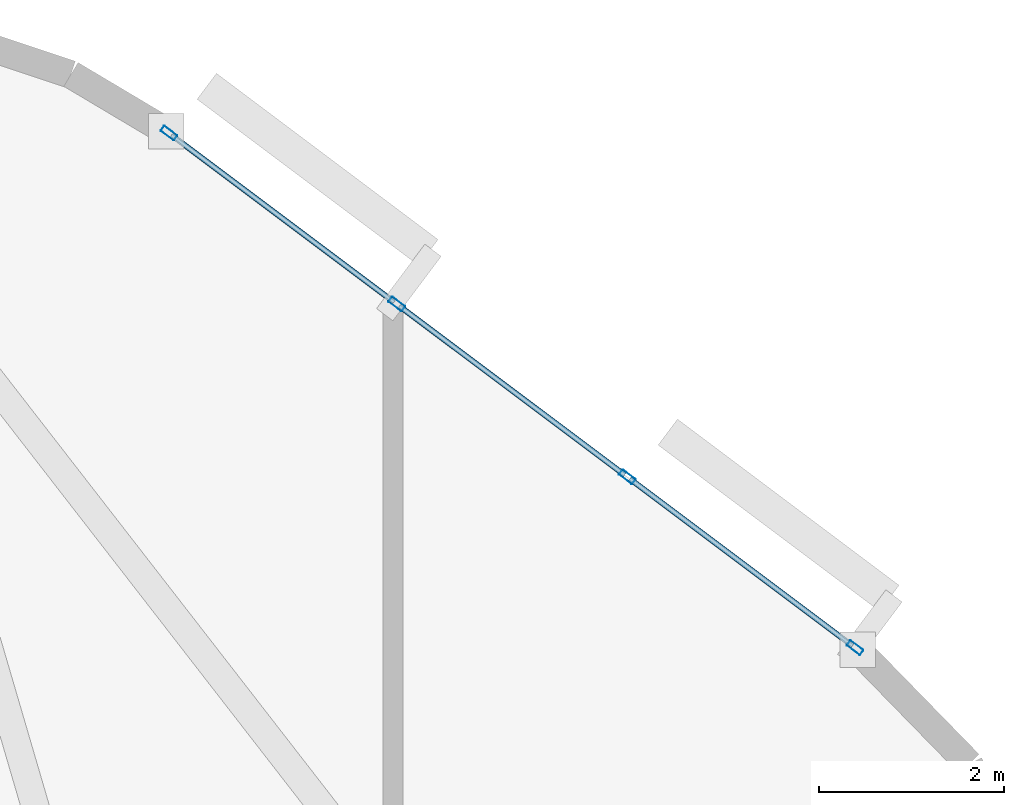
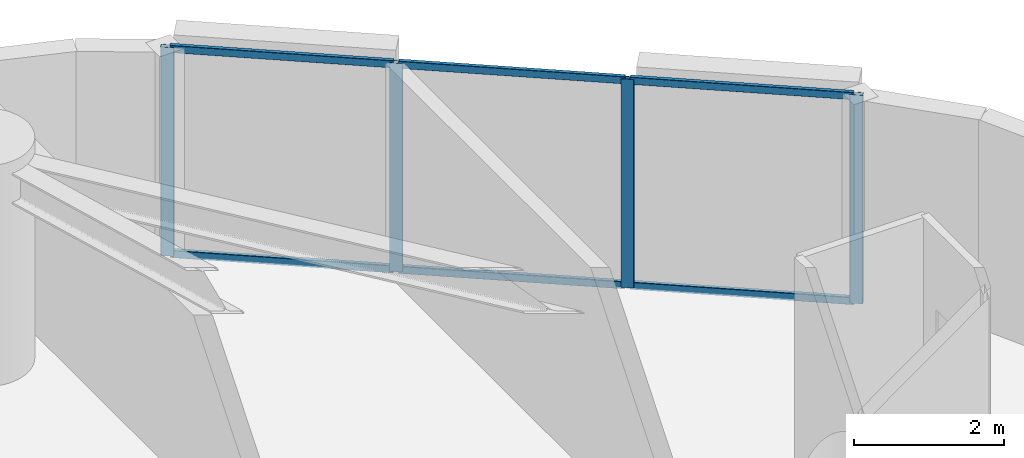
# One storey, part 6 of 14: 10 members, 1 element without a shape of its own.
"""IFC4 building model written with IfcOpenShell, lengths in metres."""

from ifc_helpers import new_model, si_unit, direction, frame, origin, origin_2d, place, context, subcontext, project, spatial, hollow_rectangle, extrude, material, layer, layer_set, material_profile, profile_set, type_object, element, aggregate, save


model = new_model("IFC4")

# Units and contexts
model_context = context("Model", 3, precision=1e-05, world=origin(), true_north=direction((0.0, 1.0)))
body_context = subcontext(model_context, "Body", "Model", "MODEL_VIEW")
ifc_project = project(units=[si_unit("LENGTHUNIT", "METRE"), si_unit("AREAUNIT", "SQUARE_METRE"), si_unit("VOLUMEUNIT", "CUBIC_METRE"), si_unit("PLANEANGLEUNIT", "RADIAN"), si_unit("MASSUNIT", "GRAM", prefix="KILO")], contexts=[model_context])

# Site, building, storey
site_placement = place(None, origin())
site = spatial("IfcSite", under=ifc_project, at=site_placement, CompositionType="ELEMENT")
building_placement = place(site_placement, origin())
building = spatial("IfcBuilding", under=site, at=building_placement, Name="An Khanh Terracotta Commons", CompositionType="ELEMENT")
storey_placement = place(building_placement, frame((0.0, 0.0, 93.5)))
storey = spatial("IfcBuildingStorey", under=building, at=storey_placement, Name="L24", CompositionType="ELEMENT", Elevation=93.5)

# Curtain wall, members
ifc_material = material(Name="Anodised Aluminium 6063-T6", Category="aluminium")
ifc_layer = layer(ifc_material, 0.199951171875, Name="Anodised Aluminium 6063-T6")
ifc_layer_set = layer_set([ifc_layer], Name="Anodised Aluminium 6063-T6")
curtain_wall_type = type_object("IfcCurtainWallType", Name="CW-SYS-02", PredefinedType="USERDEFINED", material=ifc_layer_set)
curtain_wall_placement = place(storey_placement, origin())
curtain_wall = element("IfcCurtainWall", 1, at=curtain_wall_placement, inside=storey, type_object=curtain_wall_type, Name="L24 CW-02 Unitised Curtain Wall CW-L24-16", ObjectType="UNITISED CURTAIN WALL", PredefinedType="USERDEFINED")
ifc_material_profile_1 = material_profile(ifc_material, hollow_rectangle(XDim=0.070068359375, YDim=0.179931640625, WallThickness=0.00390625, InnerFilletRadius=0.00390625, OuterFilletRadius=0.008056640625, at=origin_2d()), Name="RHS180x70x4")
ifc_profile_set_1 = profile_set([ifc_material_profile_1], Name="Anodised Aluminium 6063-T6")
member_type_1 = type_object("IfcMemberType", Name="CWM-RHS180x70x4", PredefinedType="MULLION", material=ifc_profile_set_1)
member_1_placement = place(storey_placement, frame((55.132080078125, 37.10107421875, 0.0), z_axis=(0.0, 0.0, 1.0), x_axis=(-0.599982857492, -0.800012856594, 0.0)))
member_1 = element("IfcMember", 2, at=member_1_placement, type_object=member_type_1, Name="CW-02 mullion 1", PredefinedType="MULLION", context=body_context, shape_type="SweptSolid", body=[
    extrude(hollow_rectangle(XDim=0.070068359375, YDim=0.179931640625, WallThickness=0.00390625, InnerFilletRadius=0.00390625, OuterFilletRadius=0.008056640625, at=origin_2d()), origin(), (0.0, 0.0, 1.0), 3.39990234375),
])
member_2_placement = place(storey_placement, frame((52.6708984375, 38.94677734375, 0.0), z_axis=(0.0, 0.0, 1.0), x_axis=(-0.599982857492, -0.800012856594, 0.0)))
member_2 = element("IfcMember", 3, at=member_2_placement, type_object=member_type_1, Name="CW-02 mullion 2", PredefinedType="MULLION", context=body_context, shape_type="SweptSolid", body=[
    extrude(hollow_rectangle(XDim=0.070068359375, YDim=0.179931640625, WallThickness=0.00390625, InnerFilletRadius=0.00390625, OuterFilletRadius=0.008056640625, at=origin_2d()), origin(), (0.0, 0.0, 1.0), 3.39990234375),
])
member_3_placement = place(storey_placement, frame((50.181884765625, 40.813232421875, 0.0), z_axis=(0.0, 0.0, 1.0), x_axis=(-0.599982857492, -0.800012856594, 0.0)))
member_3 = element("IfcMember", 4, at=member_3_placement, type_object=member_type_1, Name="CW-02 mullion 3", PredefinedType="MULLION", context=body_context, shape_type="SweptSolid", body=[
    extrude(hollow_rectangle(XDim=0.070068359375, YDim=0.179931640625, WallThickness=0.00390625, InnerFilletRadius=0.00390625, OuterFilletRadius=0.008056640625, at=origin_2d()), origin(), (0.0, 0.0, 1.0), 3.39990234375),
])
member_4_placement = place(storey_placement, frame((47.720947265625, 42.658935546875, 0.0), z_axis=(0.0, 0.0, 1.0), x_axis=(-0.599982857492, -0.800012856594, 0.0)))
member_4 = element("IfcMember", 5, at=member_4_placement, type_object=member_type_1, Name="CW-02 mullion 4", PredefinedType="MULLION", context=body_context, shape_type="SweptSolid", body=[
    extrude(hollow_rectangle(XDim=0.070068359375, YDim=0.179931640625, WallThickness=0.00390625, InnerFilletRadius=0.00390625, OuterFilletRadius=0.008056640625, at=origin_2d()), origin(), (0.0, 0.0, 1.0), 3.39990234375),
])
ifc_material_profile_2 = material_profile(ifc_material, hollow_rectangle(XDim=0.06005859375, YDim=0.1201171875, WallThickness=0.003662109375, InnerFilletRadius=0.003662109375, OuterFilletRadius=0.007080078125, at=origin_2d()), Name="RHS120x60x3.6")
ifc_profile_set_2 = profile_set([ifc_material_profile_2], Name="Anodised Aluminium 6063-T6")
member_type_2 = type_object("IfcMemberType", Name="CWT-RHS120x60x3.6", PredefinedType="USERDEFINED", material=ifc_profile_set_2)
member_5_placement = place(storey_placement, frame((55.10400390625, 37.1220703125, 0.030029296875), z_axis=(-0.800009745217, 0.599987006158, 0.0), x_axis=(-0.599987006158, -0.800009745217, 0.0)))
member_5 = element("IfcMember", 6, at=member_5_placement, type_object=member_type_2, Name="CW-02 transom 1.1", ObjectType="TRANSOM", PredefinedType="USERDEFINED", context=body_context, shape_type="SweptSolid", body=[
    extrude(hollow_rectangle(XDim=0.06005859375, YDim=0.1201171875, WallThickness=0.003662109375, InnerFilletRadius=0.003662109375, OuterFilletRadius=0.007080078125, at=origin_2d()), origin(), (0.0, 0.0, 1.0), 3.00634765625),
])
member_6_placement = place(storey_placement, frame((55.10400390625, 37.1220703125, 3.3701171875), z_axis=(-0.800009745217, 0.599987006158, 0.0), x_axis=(-0.599987006158, -0.800009745217, 0.0)))
member_6 = element("IfcMember", 7, at=member_6_placement, type_object=member_type_2, Name="CW-02 transom 1.2", ObjectType="TRANSOM", PredefinedType="USERDEFINED", context=body_context, shape_type="SweptSolid", body=[
    extrude(hollow_rectangle(XDim=0.06005859375, YDim=0.1201171875, WallThickness=0.003662109375, InnerFilletRadius=0.003662109375, OuterFilletRadius=0.007080078125, at=origin_2d()), origin(), (0.0, 0.0, 1.0), 3.00634765625),
])
member_7_placement = place(storey_placement, frame((52.64306640625, 38.9677734375, 0.030029296875), z_axis=(-0.800057796972, 0.599922929638, 0.0), x_axis=(-0.599922929638, -0.800057796972, 0.0)))
member_7 = element("IfcMember", 8, at=member_7_placement, type_object=member_type_2, Name="CW-02 transom 2.1", ObjectType="TRANSOM", PredefinedType="USERDEFINED", context=body_context, shape_type="SweptSolid", body=[
    extrude(hollow_rectangle(XDim=0.06005859375, YDim=0.1201171875, WallThickness=0.003662109375, InnerFilletRadius=0.003662109375, OuterFilletRadius=0.007080078125, at=origin_2d()), origin(), (0.0, 0.0, 1.0), 3.041259765625),
])
member_8_placement = place(storey_placement, frame((52.64306640625, 38.9677734375, 3.3701171875), z_axis=(-0.800057796972, 0.599922929638, 0.0), x_axis=(-0.599922929638, -0.800057796972, 0.0)))
member_8 = element("IfcMember", 9, at=member_8_placement, type_object=member_type_2, Name="CW-02 transom 2.2", ObjectType="TRANSOM", PredefinedType="USERDEFINED", context=body_context, shape_type="SweptSolid", body=[
    extrude(hollow_rectangle(XDim=0.06005859375, YDim=0.1201171875, WallThickness=0.003662109375, InnerFilletRadius=0.003662109375, OuterFilletRadius=0.007080078125, at=origin_2d()), origin(), (0.0, 0.0, 1.0), 3.041259765625),
])
member_9_placement = place(storey_placement, frame((50.154052734375, 40.834228515625, 0.030029296875), z_axis=(-0.800009745217, 0.599987006158, 0.0), x_axis=(-0.599987006158, -0.800009745217, 0.0)))
member_9 = element("IfcMember", 10, at=member_9_placement, type_object=member_type_2, Name="CW-02 transom 3.1", ObjectType="TRANSOM", PredefinedType="USERDEFINED", context=body_context, shape_type="SweptSolid", body=[
    extrude(hollow_rectangle(XDim=0.06005859375, YDim=0.1201171875, WallThickness=0.003662109375, InnerFilletRadius=0.003662109375, OuterFilletRadius=0.007080078125, at=origin_2d()), origin(), (0.0, 0.0, 1.0), 3.00634765625),
])
member_10_placement = place(storey_placement, frame((50.154052734375, 40.834228515625, 3.3701171875), z_axis=(-0.800009745217, 0.599987006158, 0.0), x_axis=(-0.599987006158, -0.800009745217, 0.0)))
member_10 = element("IfcMember", 11, at=member_10_placement, type_object=member_type_2, Name="CW-02 transom 3.2", ObjectType="TRANSOM", PredefinedType="USERDEFINED", context=body_context, shape_type="SweptSolid", body=[
    extrude(hollow_rectangle(XDim=0.06005859375, YDim=0.1201171875, WallThickness=0.003662109375, InnerFilletRadius=0.003662109375, OuterFilletRadius=0.007080078125, at=origin_2d()), origin(), (0.0, 0.0, 1.0), 3.00634765625),
])
aggregate(curtain_wall, [member_1, member_2, member_3, member_4, member_5, member_6, member_7, member_8, member_9, member_10])

save(model, "model.ifc")
